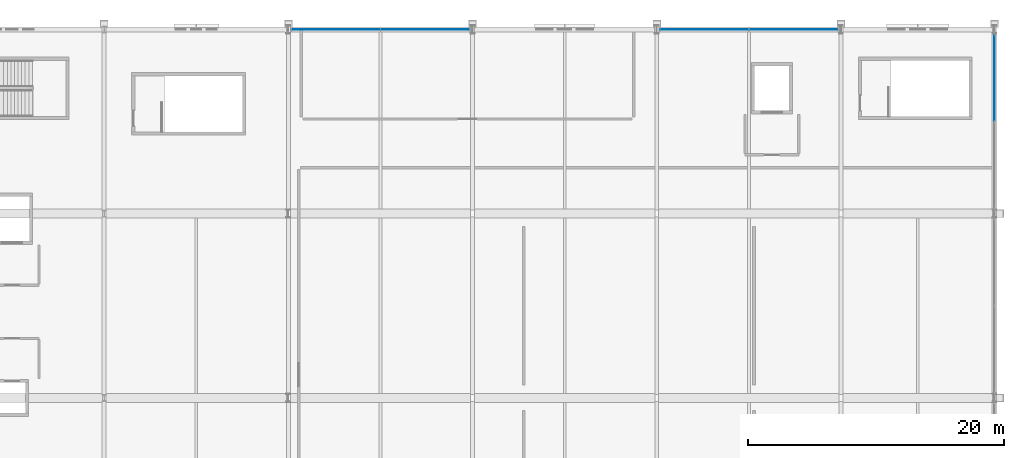
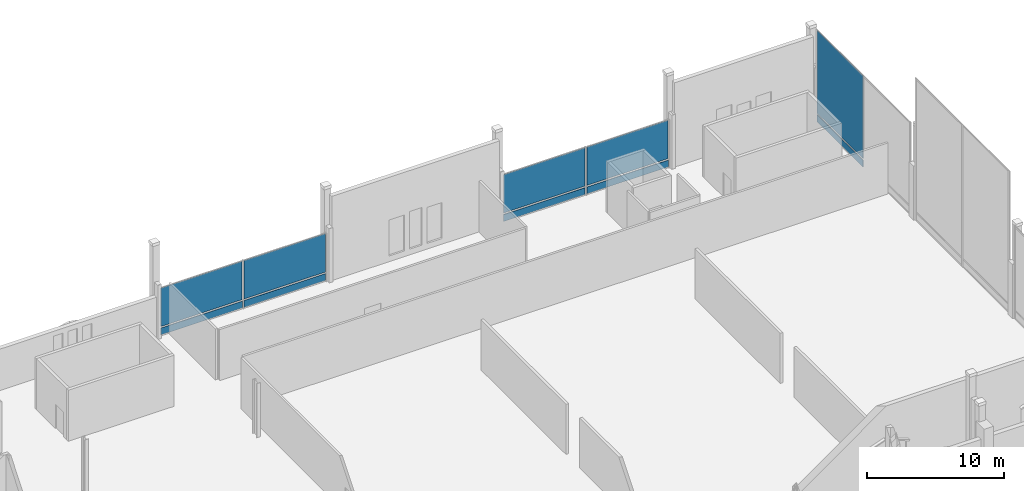
# One storey, part 121 of 193: 10 plates, 3 elements without a shape of their own.
"""IFC4 building model written with IfcOpenShell, lengths in metres."""

from ifc_helpers import new_model, si_unit, direction, frame, origin, origin_2d, place, context, subcontext, project, spatial, rectangle, extrude, material, layer, layer_set, type_object, element, aggregate, save


model = new_model("IFC4")

# Units and contexts
model_context = context("Model", 3, precision=1e-05, world=origin(), true_north=direction((0.0, 1.0)))
body_context = subcontext(model_context, "Body", "Model", "MODEL_VIEW")
ifc_project = project(units=[si_unit("LENGTHUNIT", "METRE"), si_unit("AREAUNIT", "SQUARE_METRE"), si_unit("VOLUMEUNIT", "CUBIC_METRE"), si_unit("PLANEANGLEUNIT", "RADIAN"), si_unit("MASSUNIT", "GRAM", prefix="KILO")], contexts=[model_context])

# Site, building, storey
site_placement = place(None, origin())
site = spatial("IfcSite", under=ifc_project, at=site_placement, CompositionType="ELEMENT")
building_placement = place(site_placement, origin())
building = spatial("IfcBuilding", under=site, at=building_placement, Name="Cendralis Lancet Convention Centre", CompositionType="ELEMENT")
storey_placement = place(building_placement, frame((0.0, 0.0, 10.199951171875)))
storey = spatial("IfcBuildingStorey", under=building, at=storey_placement, Name="L02", CompositionType="ELEMENT", Elevation=10.199951171875)

# Curtain wall, plates
ifc_material_1 = material(Name="Anodised bronze architectural aluminium", Category="aluminium")
curtain_wall_type = type_object("IfcCurtainWallType", Name="ARC-CW-BL02", PredefinedType="USERDEFINED", material=ifc_material_1)
curtain_wall_1_placement = place(storey_placement, origin())
curtain_wall_1 = element("IfcCurtainWall", 1, at=curtain_wall_1_placement, inside=storey, type_object=curtain_wall_type, Name="L02 Curtain Wall CW-BL2 #155", ObjectType="CURTAIN WALL", PredefinedType="USERDEFINED")
ifc_material_2 = material(Name="Double-glazed low-E solar-control glass", Category="glass")
ifc_layer_1 = layer(ifc_material_2, 0.035888671875, Name="Double-glazed low-E solar-control glass")
ifc_layer_set_1 = layer_set([ifc_layer_1], Name="Double-glazed low-E solar-control glass")
plate_type_1 = type_object("IfcPlateType", Name="ARC-PL-GL02", PredefinedType="CURTAIN_PANEL", material=ifc_layer_set_1)
plate_1_placement = place(storey_placement, frame((157.300048828125, 136.800048828125, 0.8203125), z_axis=(0.0, 0.0, 1.0), x_axis=(1.0, 0.0, 0.0)))
plate_1 = element("IfcPlate", 2, at=plate_1_placement, type_object=plate_type_1, Name="Vision Glass Panel CW2-CW-BL2-L02-155-PG0", PredefinedType="CURTAIN_PANEL", context=body_context, shape_type="SweptSolid", body=[
    extrude(rectangle(XDim=6.840087890625, YDim=0.035888671875, at=origin_2d()), origin(), (0.0, 0.0, 1.0), 3.409912109375),
])
plate_2_placement = place(storey_placement, frame((164.300048828125, 136.800048828125, 0.8203125), z_axis=(0.0, 0.0, 1.0), x_axis=(1.0, 0.0, 0.0)))
plate_2 = element("IfcPlate", 3, at=plate_2_placement, type_object=plate_type_1, Name="Vision Glass Panel CW2-CW-BL2-L02-155-PG1", PredefinedType="CURTAIN_PANEL", context=body_context, shape_type="SweptSolid", body=[
    extrude(rectangle(XDim=6.840087890625, YDim=0.035888671875, at=origin_2d()), origin(), (0.0, 0.0, 1.0), 3.409912109375),
])

curtain_wall_2_placement = place(storey_placement, origin())
curtain_wall_2 = element("IfcCurtainWall", 4, at=curtain_wall_2_placement, inside=storey, type_object=curtain_wall_type, Name="L02 Curtain Wall CW-BL2 #156", ObjectType="CURTAIN WALL", PredefinedType="USERDEFINED")
plate_3_placement = place(storey_placement, frame((186.10009765625, 136.800048828125, 0.8203125), z_axis=(0.0, 0.0, 1.0), x_axis=(1.0, 0.0, 0.0)))
plate_3 = element("IfcPlate", 5, at=plate_3_placement, type_object=plate_type_1, Name="Vision Glass Panel CW2-CW-BL2-L02-156-PG0", PredefinedType="CURTAIN_PANEL", context=body_context, shape_type="SweptSolid", body=[
    extrude(rectangle(XDim=6.840087890625, YDim=0.035888671875, at=origin_2d()), origin(), (0.0, 0.0, 1.0), 3.409912109375),
])
plate_4_placement = place(storey_placement, frame((193.10009765625, 136.800048828125, 0.8203125), z_axis=(0.0, 0.0, 1.0), x_axis=(1.0, 0.0, 0.0)))
plate_4 = element("IfcPlate", 6, at=plate_4_placement, type_object=plate_type_1, Name="Vision Glass Panel CW2-CW-BL2-L02-156-PG1", PredefinedType="CURTAIN_PANEL", context=body_context, shape_type="SweptSolid", body=[
    extrude(rectangle(XDim=6.840087890625, YDim=0.035888671875, at=origin_2d()), origin(), (0.0, 0.0, 1.0), 3.409912109375),
])

# Curtain wall, plate
curtain_wall_3_placement = place(storey_placement, origin())
curtain_wall_3 = element("IfcCurtainWall", 7, at=curtain_wall_3_placement, inside=storey, type_object=curtain_wall_type, Name="L02 Curtain Wall CW-BL2 #162", ObjectType="CURTAIN WALL", PredefinedType="USERDEFINED")
plate_5_placement = place(storey_placement, frame((208.800048828125, 133.012451171875, 0.81982421875), z_axis=(0.0, 0.0, 1.0), x_axis=(0.0, -1.0, 0.0)))
plate_5 = element("IfcPlate", 8, at=plate_5_placement, type_object=plate_type_1, Name="Vision Glass Panel CW2-CW-BL2-L02-162-PG0", PredefinedType="CURTAIN_PANEL", context=body_context, shape_type="SweptSolid", body=[
    extrude(rectangle(XDim=6.6650390625, YDim=0.035888671875, at=origin_2d()), origin(), (0.0, 0.0, 1.0), 7.360107421875),
])

# Plate
ifc_material_3 = material(Name="Insulated ceramic-fritted spandrel glass", Category="glass")
ifc_layer_2 = layer(ifc_material_3, 0.044921875, Name="Insulated ceramic-fritted spandrel glass")
ifc_layer_set_2 = layer_set([ifc_layer_2], Name="Insulated ceramic-fritted spandrel glass")
plate_type_2 = type_object("IfcPlateType", Name="ARC-PL-SP01", PredefinedType="CURTAIN_PANEL", material=ifc_layer_set_2)
plate_6_placement = place(storey_placement, frame((157.300048828125, 136.800048828125, 0.06982421875), z_axis=(0.0, 0.0, 1.0), x_axis=(1.0, 0.0, 0.0)))
plate_6 = element("IfcPlate", 9, at=plate_6_placement, type_object=plate_type_2, Name="Spandrel Panel CW2-CW-BL2-L02-155-PS0", PredefinedType="CURTAIN_PANEL", context=body_context, shape_type="SweptSolid", body=[
    extrude(rectangle(XDim=6.840087890625, YDim=0.044921875, at=origin_2d()), origin(), (0.0, 0.0, 1.0), 0.610107421875),
])

plate_7_placement = place(storey_placement, frame((164.300048828125, 136.800048828125, 0.06982421875), z_axis=(0.0, 0.0, 1.0), x_axis=(1.0, 0.0, 0.0)))
plate_7 = element("IfcPlate", 10, at=plate_7_placement, type_object=plate_type_2, Name="Spandrel Panel CW2-CW-BL2-L02-155-PS1", PredefinedType="CURTAIN_PANEL", context=body_context, shape_type="SweptSolid", body=[
    extrude(rectangle(XDim=6.840087890625, YDim=0.044921875, at=origin_2d()), origin(), (0.0, 0.0, 1.0), 0.610107421875),
])

aggregate(curtain_wall_1, [plate_6, plate_1, plate_7, plate_2])

plate_8_placement = place(storey_placement, frame((186.10009765625, 136.800048828125, 0.06982421875), z_axis=(0.0, 0.0, 1.0), x_axis=(1.0, 0.0, 0.0)))
plate_8 = element("IfcPlate", 11, at=plate_8_placement, type_object=plate_type_2, Name="Spandrel Panel CW2-CW-BL2-L02-156-PS0", PredefinedType="CURTAIN_PANEL", context=body_context, shape_type="SweptSolid", body=[
    extrude(rectangle(XDim=6.840087890625, YDim=0.044921875, at=origin_2d()), origin(), (0.0, 0.0, 1.0), 0.610107421875),
])

plate_9_placement = place(storey_placement, frame((193.10009765625, 136.800048828125, 0.06982421875), z_axis=(0.0, 0.0, 1.0), x_axis=(1.0, 0.0, 0.0)))
plate_9 = element("IfcPlate", 12, at=plate_9_placement, type_object=plate_type_2, Name="Spandrel Panel CW2-CW-BL2-L02-156-PS1", PredefinedType="CURTAIN_PANEL", context=body_context, shape_type="SweptSolid", body=[
    extrude(rectangle(XDim=6.840087890625, YDim=0.044921875, at=origin_2d()), origin(), (0.0, 0.0, 1.0), 0.610107421875),
])

aggregate(curtain_wall_2, [plate_8, plate_3, plate_9, plate_4])

plate_10_placement = place(storey_placement, frame((208.800048828125, 133.012451171875, 0.06982421875), z_axis=(0.0, 0.0, 1.0), x_axis=(0.0, -1.0, 0.0)))
plate_10 = element("IfcPlate", 13, at=plate_10_placement, type_object=plate_type_2, Name="Spandrel Panel CW2-CW-BL2-L02-162-PS0", PredefinedType="CURTAIN_PANEL", context=body_context, shape_type="SweptSolid", body=[
    extrude(rectangle(XDim=6.6650390625, YDim=0.044921875, at=origin_2d()), origin(), (0.0, 0.0, 1.0), 0.610107421875),
])

aggregate(curtain_wall_3, [plate_10, plate_5])

save(model, "model.ifc")
